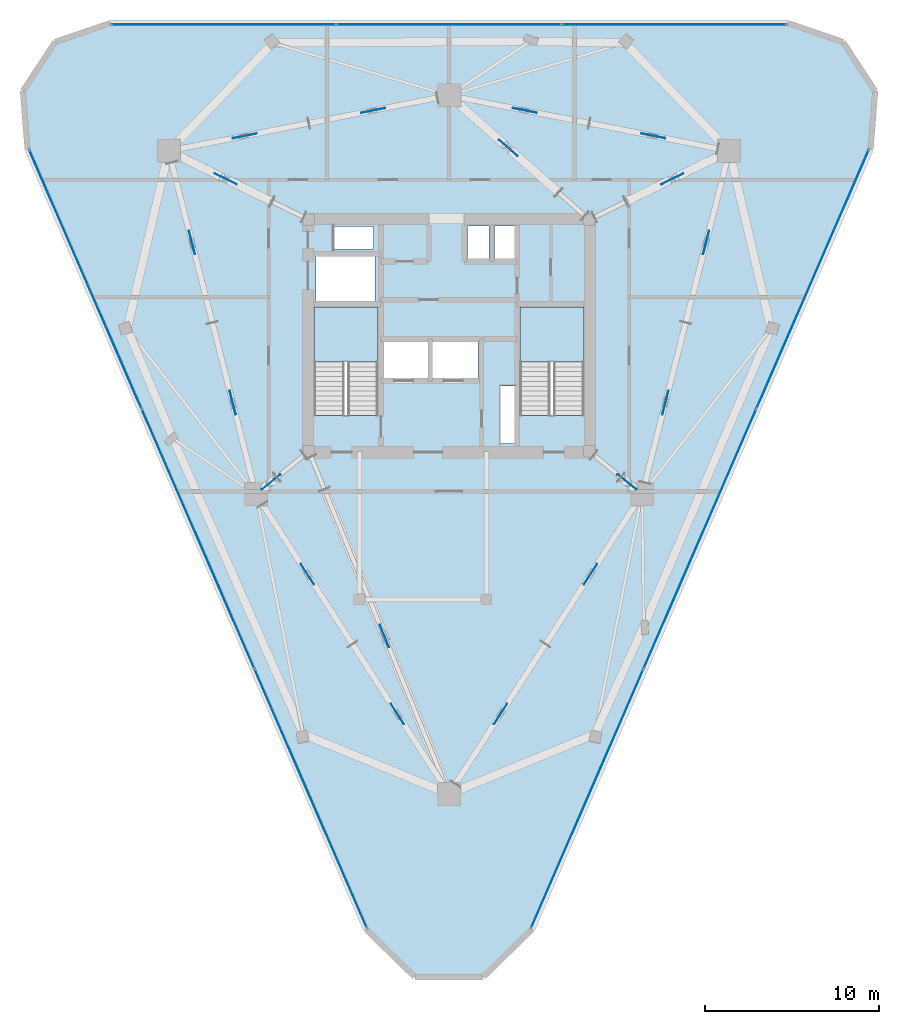
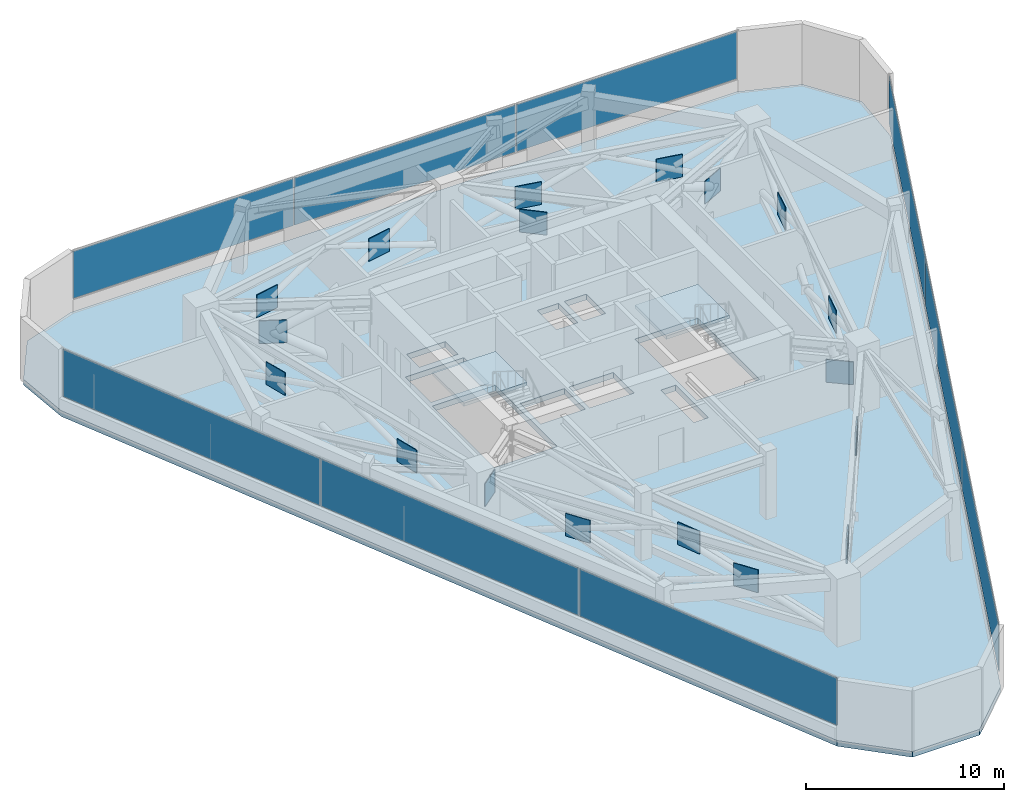
# One storey, part 8 of 12: 27 plates, 3 slabs, 5 elements without a shape of their own.
"""IFC4 building model written with IfcOpenShell, lengths in metres."""

from ifc_helpers import new_model, si_unit, direction, frame, origin, origin_2d, place, context, subcontext, project, spatial, polyline, rectangle, outline, extrude, material, layer, layer_set, type_object, element, aggregate, save


model = new_model("IFC4")

# Units and contexts
model_context = context("Model", 3, precision=1e-05, world=origin(), true_north=direction((0.0, 1.0)))
body_context = subcontext(model_context, "Body", "Model", "MODEL_VIEW")
ifc_project = project(units=[si_unit("LENGTHUNIT", "METRE"), si_unit("AREAUNIT", "SQUARE_METRE"), si_unit("VOLUMEUNIT", "CUBIC_METRE"), si_unit("PLANEANGLEUNIT", "RADIAN"), si_unit("MASSUNIT", "GRAM", prefix="KILO")], contexts=[model_context])

# Site, building, storey
site_placement = place(None, origin())
site = spatial("IfcSite", under=ifc_project, at=site_placement, CompositionType="ELEMENT")
building_placement = place(site_placement, origin())
building = spatial("IfcBuilding", under=site, at=building_placement, Name="Talyreon Biosciences Tower", CompositionType="ELEMENT")
storey_placement = place(building_placement, frame((0.0, 0.0, 223.199951171875)))
storey = spatial("IfcBuildingStorey", under=building, at=storey_placement, Name="L59", CompositionType="ELEMENT", Elevation=223.199951171875)

# Curtain wall, plates
ifc_material_1 = material(Name="Thermally broken aluminium and low-E glazing", Category="aluminium")
ifc_layer_1 = layer(ifc_material_1, 0.179931640625)
ifc_layer_set_1 = layer_set([ifc_layer_1], Name="Thermally broken aluminium and low-E glazing")
curtain_wall_type = type_object("IfcCurtainWallType", Name="CurtainWall_Zone4Optical", PredefinedType="NOTDEFINED", material=ifc_layer_set_1)
curtain_wall_1_placement = place(storey_placement, origin())
curtain_wall_1 = element("IfcCurtainWall", 1, at=curtain_wall_1_placement, inside=storey, type_object=curtain_wall_type, Name="L59 Unitised Curtain Wall FCW-L59-00", PredefinedType="NOTDEFINED")
ifc_material_2 = material(Name="Triple-silver low-E insulated glazing", Category="glass")
ifc_layer_2 = layer(ifc_material_2, 0.031982421875)
ifc_layer_set_2 = layer_set([ifc_layer_2], Name="Triple-silver low-E insulated glazing")
plate_type_1 = type_object("IfcPlateType", Name="CWGlazingPanel_32", PredefinedType="CURTAIN_PANEL", material=ifc_layer_set_2)
plate_1_placement = place(storey_placement, frame((58.0576171875, 41.41015625, 0.875), z_axis=(0.0, 0.0, 1.0), x_axis=(-0.398112405366, 0.917336640876, 0.0)))
plate_1 = element("IfcPlate", 2, at=plate_1_placement, type_object=plate_type_1, Name="CW5 panel 1.1", PredefinedType="CURTAIN_PANEL", context=body_context, shape_type="SweptSolid", body=[
    extrude(rectangle(XDim=16.1748046875, YDim=0.031982421875, at=origin_2d()), origin(), (0.0, 0.0, 1.0), 2.909912109375),
])
plate_2_placement = place(storey_placement, frame((51.5859375, 56.322265625, 0.875), z_axis=(0.0, 0.0, 1.0), x_axis=(-0.398112405366, 0.917336640876, 0.0)))
plate_2 = element("IfcPlate", 3, at=plate_2_placement, type_object=plate_type_1, Name="CW5 panel 2.1", PredefinedType="CURTAIN_PANEL", context=body_context, shape_type="SweptSolid", body=[
    extrude(rectangle(XDim=16.207275390625, YDim=0.031982421875, at=origin_2d()), origin(), (0.0, 0.0, 1.0), 2.909912109375),
])
plate_3_placement = place(storey_placement, frame((45.1142578125, 71.234619140625, 0.875), z_axis=(0.0, 0.0, 1.0), x_axis=(-0.398112405366, 0.917336640876, 0.0)))
plate_3 = element("IfcPlate", 4, at=plate_3_placement, type_object=plate_type_1, Name="CW5 panel 3.1", PredefinedType="CURTAIN_PANEL", context=body_context, shape_type="SweptSolid", body=[
    extrude(rectangle(XDim=16.1748046875, YDim=0.031982421875, at=origin_2d()), origin(), (0.0, 0.0, 1.0), 2.909912109375),
])
aggregate(curtain_wall_1, [plate_1, plate_2, plate_3])

curtain_wall_2_placement = place(storey_placement, origin())
curtain_wall_2 = element("IfcCurtainWall", 5, at=curtain_wall_2_placement, inside=storey, type_object=curtain_wall_type, Name="L59 Unitised Curtain Wall FCW-L59-04", PredefinedType="NOTDEFINED")
plate_4_placement = place(storey_placement, frame((53.059814453125, 85.87158203125, 0.875), z_axis=(0.0, 0.0, 1.0), x_axis=(1.0, 0.0, 0.0)))
plate_4 = element("IfcPlate", 6, at=plate_4_placement, type_object=plate_type_1, Name="CW5 panel 1.1", PredefinedType="CURTAIN_PANEL", context=body_context, shape_type="SweptSolid", body=[
    extrude(rectangle(XDim=12.85888671875, YDim=0.031982421875, at=origin_2d()), origin(), (0.0, 0.0, 1.0), 2.909912109375),
])
plate_5_placement = place(storey_placement, frame((66.0, 85.87158203125, 0.875), z_axis=(0.0, 0.0, 1.0), x_axis=(1.0, 0.0, 0.0)))
plate_5 = element("IfcPlate", 7, at=plate_5_placement, type_object=plate_type_1, Name="CW5 panel 2.1", PredefinedType="CURTAIN_PANEL", context=body_context, shape_type="SweptSolid", body=[
    extrude(rectangle(XDim=12.891357421875, YDim=0.031982421875, at=origin_2d()), origin(), (0.0, 0.0, 1.0), 2.909912109375),
])
plate_6_placement = place(storey_placement, frame((78.940185546875, 85.87158203125, 0.875), z_axis=(0.0, 0.0, 1.0), x_axis=(1.0, 0.0, 0.0)))
plate_6 = element("IfcPlate", 8, at=plate_6_placement, type_object=plate_type_1, Name="CW5 panel 3.1", PredefinedType="CURTAIN_PANEL", context=body_context, shape_type="SweptSolid", body=[
    extrude(rectangle(XDim=12.85888671875, YDim=0.031982421875, at=origin_2d()), origin(), (0.0, 0.0, 1.0), 2.909912109375),
])
aggregate(curtain_wall_2, [plate_4, plate_5, plate_6])

curtain_wall_3_placement = place(storey_placement, origin())
curtain_wall_3 = element("IfcCurtainWall", 9, at=curtain_wall_3_placement, inside=storey, type_object=curtain_wall_type, Name="L59 Unitised Curtain Wall FCW-L59-08", PredefinedType="NOTDEFINED")
plate_7_placement = place(storey_placement, frame((86.8857421875, 71.234619140625, 0.875), z_axis=(0.0, 0.0, 1.0), x_axis=(-0.398112405366, -0.917336640876, 0.0)))
plate_7 = element("IfcPlate", 10, at=plate_7_placement, type_object=plate_type_1, Name="CW5 panel 1.1", PredefinedType="CURTAIN_PANEL", context=body_context, shape_type="SweptSolid", body=[
    extrude(rectangle(XDim=16.1748046875, YDim=0.031982421875, at=origin_2d()), origin(), (0.0, 0.0, 1.0), 2.909912109375),
])
plate_8_placement = place(storey_placement, frame((80.4140625, 56.322265625, 0.875), z_axis=(0.0, 0.0, 1.0), x_axis=(-0.398112405366, -0.917336640876, 0.0)))
plate_8 = element("IfcPlate", 11, at=plate_8_placement, type_object=plate_type_1, Name="CW5 panel 2.1", PredefinedType="CURTAIN_PANEL", context=body_context, shape_type="SweptSolid", body=[
    extrude(rectangle(XDim=16.207275390625, YDim=0.031982421875, at=origin_2d()), origin(), (0.0, 0.0, 1.0), 2.909912109375),
])
plate_9_placement = place(storey_placement, frame((73.9423828125, 41.41015625, 0.875), z_axis=(0.0, 0.0, 1.0), x_axis=(-0.398112405366, -0.917336640876, 0.0)))
plate_9 = element("IfcPlate", 12, at=plate_9_placement, type_object=plate_type_1, Name="CW5 panel 3.1", PredefinedType="CURTAIN_PANEL", context=body_context, shape_type="SweptSolid", body=[
    extrude(rectangle(XDim=16.1748046875, YDim=0.031982421875, at=origin_2d()), origin(), (0.0, 0.0, 1.0), 2.909912109375),
])
aggregate(curtain_wall_3, [plate_7, plate_8, plate_9])

# Slab
ifc_material_3 = material(Name="Concrete C50/60", Category="concrete")
ifc_layer_3 = layer(ifc_material_3, 0.35009765625)
ifc_layer_set_3 = layer_set([ifc_layer_3], Name="Concrete C50/60")
slab_type_1 = type_object("IfcSlabType", Name="PlantOutriggerSlab_350", PredefinedType="FLOOR", material=ifc_layer_set_3)
slab_1_placement = place(storey_placement, frame((0.0, 0.0, -0.349853515625)))
element("IfcSlab", 13, at=slab_1_placement, inside=storey, type_object=slab_type_1, Name="L59 Structural Floor Slab", PredefinedType="FLOOR", context=body_context, shape_type="SweptSolid", body=[
    extrude(outline(polyline([(61.229736328125, 33.89990234375), (41.795166015625, 78.681396484375), (41.52783203125, 82.041259765625), (43.376708984375, 84.859130859375), (46.5654296875, 85.951416015625), (85.4345703125, 85.951416015625), (88.623291015625, 84.859130859375), (90.47216796875, 82.041259765625), (90.204833984375, 78.681396484375), (70.770263671875, 33.89990234375), (67.963134765625, 31.15478515625), (64.036865234375, 31.15478515625), (61.229736328125, 33.89990234375)]), holes=[polyline([(69.820068359375, 65.10009765625), (69.820068359375, 61.800048828125), (68.9599609375, 61.800048828125), (68.9599609375, 65.10009765625), (69.820068359375, 65.10009765625)]), polyline([(61.929931640625, 69.64990234375), (61.929931640625, 63.407958984375), (58.25, 63.407958984375), (58.25, 69.64990234375), (61.929931640625, 69.64990234375)]), polyline([(73.75, 69.64990234375), (73.75, 63.407958984375), (70.070068359375, 63.407958984375), (70.070068359375, 69.64990234375), (73.75, 69.64990234375)]), polyline([(64.800048828125, 67.64990234375), (64.800048828125, 65.550048828125), (62.199951171875, 65.550048828125), (62.199951171875, 67.64990234375), (64.800048828125, 67.64990234375)]), polyline([(67.64990234375, 67.64990234375), (67.64990234375, 65.550048828125), (65.050048828125, 65.550048828125), (65.050048828125, 67.64990234375), (67.64990234375, 67.64990234375)]), polyline([(61.75, 72.550048828125), (61.75, 69.97998046875), (58.35009765625, 69.97998046875), (58.35009765625, 72.550048828125), (61.75, 72.550048828125)]), polyline([(68.300048828125, 74.300048828125), (68.300048828125, 72.35009765625), (67.050048828125, 72.35009765625), (67.050048828125, 74.300048828125), (68.300048828125, 74.300048828125)]), polyline([(69.919921875, 72.35009765625), (68.6201171875, 72.35009765625), (68.6201171875, 74.300048828125), (69.919921875, 74.300048828125), (69.919921875, 72.35009765625)]), polyline([(61.64990234375, 72.9599609375), (59.39990234375, 72.9599609375), (59.39990234375, 74.25), (61.64990234375, 74.25), (61.64990234375, 72.9599609375)])]), origin(), (0.0, 0.0, 1.0), 0.349853515625),
])

# Stair, slab
ifc_material_4 = material(Name="Concrete C40/50", Category="concrete")
stair_type = type_object("IfcStairType", Name="DoglegEscapeStair_4200", PredefinedType="HALF_TURN_STAIR", material=ifc_material_4)
stair_1_placement = place(storey_placement, origin())
stair_1 = element("IfcStair", 14, at=stair_1_placement, inside=storey, type_object=stair_type, Name="L59 Core Escape Stair 1", PredefinedType="HALF_TURN_STAIR")
ifc_layer_4 = layer(ifc_material_4, 0.199951171875)
ifc_layer_set_4 = layer_set([ifc_layer_4], Name="Concrete C40/50")
slab_type_2 = type_object("IfcSlabType", Name="StairLandingSlab_200", PredefinedType="LANDING", material=ifc_layer_set_4)
slab_2_placement = place(storey_placement, frame((0.0, 0.0, 1.900146484375)))
slab_2 = element("IfcSlab", 15, at=slab_2_placement, type_object=slab_type_2, Name="ST-1 landing 1", PredefinedType="LANDING", context=body_context, shape_type="SweptSolid", body=[
    extrude(outline(polyline([(61.929931640625, 66.47998046875), (61.929931640625, 69.64990234375), (58.25, 69.64990234375), (58.25, 66.47998046875), (61.929931640625, 66.47998046875)])), origin(), (0.0, 0.0, 1.0), 0.199951171875),
])
aggregate(stair_1, [slab_2])

stair_2_placement = place(storey_placement, origin())
stair_2 = element("IfcStair", 16, at=stair_2_placement, inside=storey, type_object=stair_type, Name="L59 Core Escape Stair 2", PredefinedType="HALF_TURN_STAIR")
slab_3_placement = place(storey_placement, frame((0.0, 0.0, 1.900146484375)))
slab_3 = element("IfcSlab", 17, at=slab_3_placement, type_object=slab_type_2, Name="ST-2 landing 1", PredefinedType="LANDING", context=body_context, shape_type="SweptSolid", body=[
    extrude(outline(polyline([(73.75, 66.47998046875), (73.75, 69.64990234375), (70.070068359375, 69.64990234375), (70.070068359375, 66.47998046875), (73.75, 66.47998046875)])), origin(), (0.0, 0.0, 1.0), 0.199951171875),
])
aggregate(stair_2, [slab_3])

# Plates
ifc_material_5 = material(Name="Steel SM355", Category="steel")
ifc_layer_5 = layer(ifc_material_5, 0.035888671875)
ifc_layer_set_5 = layer_set([ifc_layer_5], Name="Steel SM355")
plate_type_2 = type_object("IfcPlateType", Name="TrussGussetNodePlate_36", PredefinedType="SHEET", material=ifc_layer_set_5)
for number, where, z_axis, x_axis, name in (
    (18, (62.2900390625, 50.73779296875, 1.22021484375), (0.0, 0.0, 1.0), (0.378535538423, -0.925586757766, 0.0), "Truss node plate NP-OUT-L59-R1-X"),
    (19, (76.2138671875, 59.58984375, 1.22021484375), (0.0, 0.0, 1.0), (0.775771148967, -0.631014361508, 0.0), "Truss node plate NP-OUT-L59-R2-X"),
    (20, (78.82373046875, 76.990966796875, 1.22021484375), (0.0, 0.0, 1.0), (0.89785858505, 0.440283955252, 0.0), "Truss node plate NP-OUT-L59-R3-X"),
    (21, (69.402099609375, 78.771728515625, 1.22021484375), (0.0, 0.0, 1.0), (-0.748180360492, 0.663495401773, 0.0), "Truss node plate NP-OUT-L59-R4-X"),
    (22, (53.17626953125, 76.990966796875, 1.22021484375), (0.0, 0.0, 1.0), (-0.89785858505, 0.440283955252, 0.0), "Truss node plate NP-OUT-L59-R5-X"),
    (23, (55.7861328125, 59.58984375, 1.22021484375), (0.0, 0.0, 1.0), (-0.775771148967, -0.631014361508, 0.0), "Truss node plate NP-OUT-L59-R6-X"),
    (24, (68.95703125, 46.25830078125, 1.22021484375), (0.0, 0.0, 1.0), (0.54145878531, 0.840727294555, 0.0), "Truss node plate NP-BELT-L59-B1S1-X"),
    (25, (74.129150390625, 54.2890625, 1.22021484375), (0.0, 0.0, 1.0), (0.54145878531, 0.840727294555, 0.0), "Truss node plate NP-BELT-L59-B1S2-X"),
    (26, (78.4248046875, 64.141845703125, 1.22021484375), (0.0, 0.0, 1.0), (0.246542347409, 0.969132019352, 0.0), "Truss node plate NP-BELT-L59-B2S1-X"),
    (27, (80.763916015625, 73.337158203125, 1.22021484375), (0.0, 0.0, 1.0), (0.246542347409, 0.969132019352, 0.0), "Truss node plate NP-BELT-L59-B2S2-X"),
    (28, (77.74072265625, 79.462890625, 1.22021484375), (0.0, 0.0, 1.0), (-0.980934809797, 0.194337075538, 0.0), "Truss node plate NP-BELT-L59-B3S1-X"),
    (29, (70.361572265625, 80.9248046875, 1.22021484375), (0.0, 0.0, 1.0), (-0.980934809797, 0.194337075538, 0.0), "Truss node plate NP-BELT-L59-B3S2-X"),
    (30, (61.638427734375, 80.9248046875, 1.22021484375), (0.0, 0.0, 1.0), (-0.980934809797, -0.194337075538, 0.0), "Truss node plate NP-BELT-L59-B4S1-X"),
    (31, (54.259033203125, 79.462890625, 1.22021484375), (0.0, 0.0, 1.0), (-0.980934809797, -0.194337075538, 0.0), "Truss node plate NP-BELT-L59-B4S2-X"),
    (32, (51.236083984375, 73.337158203125, 1.22021484375), (0.0, 0.0, 1.0), (0.246542347409, -0.969132019352, 0.0), "Truss node plate NP-BELT-L59-B5S1-X"),
    (33, (53.5751953125, 64.141845703125, 1.22021484375), (0.0, 0.0, 1.0), (0.246542347409, -0.969132019352, 0.0), "Truss node plate NP-BELT-L59-B5S2-X"),
    (34, (57.870849609375, 54.2890625, 1.22021484375), (0.0, 0.0, 1.0), (0.54145878531, -0.840727294555, 0.0), "Truss node plate NP-BELT-L59-B6S1-X"),
    (35, (63.04296875, 46.25830078125, 1.22021484375), (0.0, 0.0, 1.0), (0.54145878531, -0.840727294555, 0.0), "Truss node plate NP-BELT-L59-B6S2-X"),
):
    element("IfcPlate", number, at=place(storey_placement, frame(where, z_axis=z_axis, x_axis=x_axis)), inside=storey, type_object=plate_type_2, Name=name, PredefinedType="SHEET", context=body_context, shape_type="SweptSolid", body=[
        extrude(rectangle(XDim=1.39990234375, YDim=0.035888671875, at=origin_2d()), origin(), (0.0, 0.0, 1.0), 1.39990234375),
    ])

save(model, "model.ifc")
